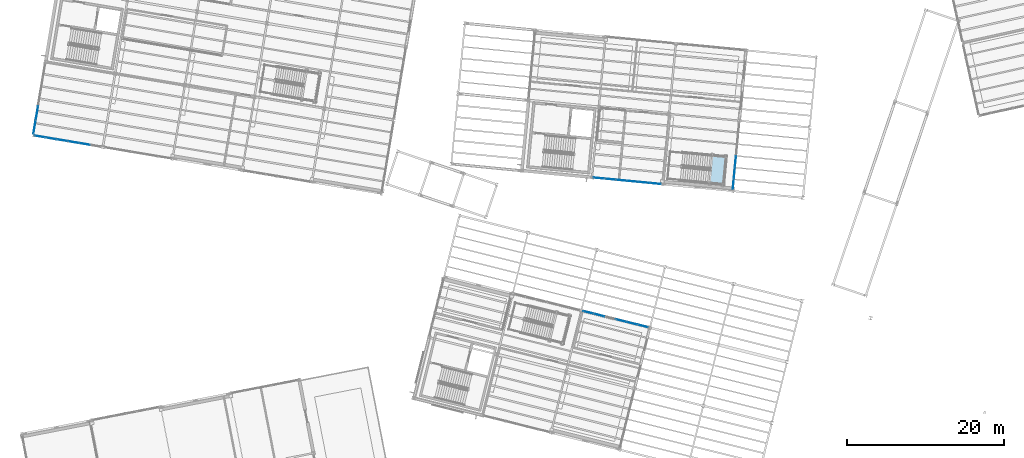
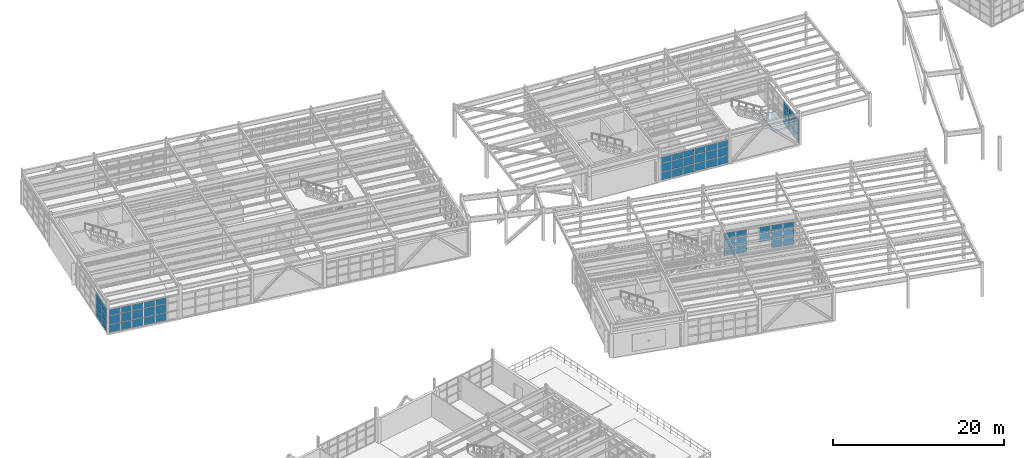
# One storey, part 68 of 109: 62 plates, 1 slab, 6 elements without a shape of their own.
"""IFC4 building model written with IfcOpenShell, lengths in metres."""

from ifc_helpers import new_model, si_unit, direction, frame, origin, origin_2d, place, context, subcontext, project, spatial, polyline, rectangle, outline, extrude, material, layer, layer_set, type_object, element, aggregate, save


model = new_model("IFC4")

# Units and contexts
model_context = context("Model", 3, precision=1e-05, world=origin(), true_north=direction((0.0, 1.0)))
body_context = subcontext(model_context, "Body", "Model", "MODEL_VIEW")
ifc_project = project(units=[si_unit("LENGTHUNIT", "METRE"), si_unit("AREAUNIT", "SQUARE_METRE"), si_unit("VOLUMEUNIT", "CUBIC_METRE"), si_unit("PLANEANGLEUNIT", "RADIAN"), si_unit("MASSUNIT", "GRAM", prefix="KILO")], contexts=[model_context])

# Site, building, storey
site_placement = place(None, origin())
site = spatial("IfcSite", under=ifc_project, at=site_placement, CompositionType="ELEMENT")
building_placement = place(site_placement, origin())
building = spatial("IfcBuilding", under=site, at=building_placement, Name="Vireo Bluff Cable Station", CompositionType="ELEMENT")
storey_placement = place(building_placement, frame((0.0, 0.0, 4.800048828125)))
storey = spatial("IfcBuildingStorey", under=building, at=storey_placement, Name="L01", CompositionType="ELEMENT", Elevation=4.800048828125)

# Curtain wall, plates
ifc_material_1 = material(Name="Anodized Aluminium 6063-T6", Category="aluminium")
ifc_layer_1 = layer(ifc_material_1, 0.179931640625, Name="Anodized Aluminium 6063-T6")
ifc_layer_set_1 = layer_set([ifc_layer_1], Name="Anodized Aluminium 6063-T6")
curtain_wall_type_1 = type_object("IfcCurtainWallType", Name="CW-UNIT-1500", PredefinedType="USERDEFINED", material=ifc_layer_set_1)
curtain_wall_1_placement = place(storey_placement, origin())
curtain_wall_1 = element("IfcCurtainWall", 1, at=curtain_wall_1_placement, inside=storey, type_object=curtain_wall_type_1, Name="V3 L01 east curtain wall CW-076", ObjectType="UNITISED CURTAIN WALL", PredefinedType="USERDEFINED")
ifc_material_2 = material(Name="Laminated Low-E Insulated Glass", Category="glass")
ifc_layer_2 = layer(ifc_material_2, 0.031982421875, Name="Laminated Low-E Insulated Glass")
ifc_layer_set_2 = layer_set([ifc_layer_2], Name="Laminated Low-E Insulated Glass")
plate_type_1 = type_object("IfcPlateType", Name="CWP-32-2", PredefinedType="CURTAIN_PANEL", material=ifc_layer_set_2)
plate_1_placement = place(storey_placement, frame((94.976318359375, 68.179931640625, 0.06494140625), z_axis=(0.0, 0.0, 1.0), x_axis=(-0.095845740533, -0.995396199521, 0.0)))
plate_1 = element("IfcPlate", 2, at=plate_1_placement, type_object=plate_type_1, Name="CW-076 panel 4.1", PredefinedType="CURTAIN_PANEL", context=body_context, shape_type="SweptSolid", body=[
    extrude(rectangle(XDim=1.3740234375, YDim=0.031982421875, at=origin_2d()), origin(), (0.0, 0.0, 1.0), 1.092529296875),
])
plate_2_placement = place(storey_placement, frame((94.976318359375, 68.179931640625, 1.22216796875), z_axis=(0.0, 0.0, 1.0), x_axis=(-0.095845740533, -0.995396199521, 0.0)))
plate_2 = element("IfcPlate", 3, at=plate_2_placement, type_object=plate_type_1, Name="CW-076 panel 4.2", PredefinedType="CURTAIN_PANEL", context=body_context, shape_type="SweptSolid", body=[
    extrude(rectangle(XDim=1.3740234375, YDim=0.031982421875, at=origin_2d()), origin(), (0.0, 0.0, 1.0), 1.193115234375),
])
plate_3_placement = place(storey_placement, frame((94.976318359375, 68.179931640625, 2.48046875), z_axis=(0.0, 0.0, 1.0), x_axis=(-0.095845740533, -0.995396199521, 0.0)))
plate_3 = element("IfcPlate", 4, at=plate_3_placement, type_object=plate_type_1, Name="CW-076 panel 4.3", PredefinedType="CURTAIN_PANEL", context=body_context, shape_type="SweptSolid", body=[
    extrude(rectangle(XDim=1.3740234375, YDim=0.031982421875, at=origin_2d()), origin(), (0.0, 0.0, 1.0), 0.8544921875),
])
plate_4_placement = place(storey_placement, frame((94.83837890625, 66.747314453125, 0.06494140625), z_axis=(0.0, 0.0, 1.0), x_axis=(-0.095845740533, -0.995396199521, 0.0)))
plate_4 = element("IfcPlate", 5, at=plate_4_placement, type_object=plate_type_1, Name="CW-076 panel 5.1", PredefinedType="CURTAIN_PANEL", context=body_context, shape_type="SweptSolid", body=[
    extrude(rectangle(XDim=1.3740234375, YDim=0.031982421875, at=origin_2d()), origin(), (0.0, 0.0, 1.0), 1.092529296875),
])
plate_5_placement = place(storey_placement, frame((94.83837890625, 66.747314453125, 1.22216796875), z_axis=(0.0, 0.0, 1.0), x_axis=(-0.095845740533, -0.995396199521, 0.0)))
plate_5 = element("IfcPlate", 6, at=plate_5_placement, type_object=plate_type_1, Name="CW-076 panel 5.2", PredefinedType="CURTAIN_PANEL", context=body_context, shape_type="SweptSolid", body=[
    extrude(rectangle(XDim=1.3740234375, YDim=0.031982421875, at=origin_2d()), origin(), (0.0, 0.0, 1.0), 1.193115234375),
])
plate_6_placement = place(storey_placement, frame((94.83837890625, 66.747314453125, 2.48046875), z_axis=(0.0, 0.0, 1.0), x_axis=(-0.095845740533, -0.995396199521, 0.0)))
plate_6 = element("IfcPlate", 7, at=plate_6_placement, type_object=plate_type_1, Name="CW-076 panel 5.3", PredefinedType="CURTAIN_PANEL", context=body_context, shape_type="SweptSolid", body=[
    extrude(rectangle(XDim=1.3740234375, YDim=0.031982421875, at=origin_2d()), origin(), (0.0, 0.0, 1.0), 0.8544921875),
])
plate_7_placement = place(storey_placement, frame((94.701904296875, 65.3310546875, 0.06494140625), z_axis=(0.0, 0.0, 1.0), x_axis=(-0.095845740533, -0.995396199521, 0.0)))
plate_7 = element("IfcPlate", 8, at=plate_7_placement, type_object=plate_type_1, Name="CW-076 panel 6.1", PredefinedType="CURTAIN_PANEL", context=body_context, shape_type="SweptSolid", body=[
    extrude(rectangle(XDim=1.341552734375, YDim=0.031982421875, at=origin_2d()), origin(), (0.0, 0.0, 1.0), 1.092529296875),
])
plate_8_placement = place(storey_placement, frame((94.701904296875, 65.3310546875, 1.22216796875), z_axis=(0.0, 0.0, 1.0), x_axis=(-0.095845740533, -0.995396199521, 0.0)))
plate_8 = element("IfcPlate", 9, at=plate_8_placement, type_object=plate_type_1, Name="CW-076 panel 6.2", PredefinedType="CURTAIN_PANEL", context=body_context, shape_type="SweptSolid", body=[
    extrude(rectangle(XDim=1.341552734375, YDim=0.031982421875, at=origin_2d()), origin(), (0.0, 0.0, 1.0), 1.193115234375),
])
plate_9_placement = place(storey_placement, frame((94.701904296875, 65.3310546875, 2.48046875), z_axis=(0.0, 0.0, 1.0), x_axis=(-0.095845740533, -0.995396199521, 0.0)))
plate_9 = element("IfcPlate", 10, at=plate_9_placement, type_object=plate_type_1, Name="CW-076 panel 6.3", PredefinedType="CURTAIN_PANEL", context=body_context, shape_type="SweptSolid", body=[
    extrude(rectangle(XDim=1.341552734375, YDim=0.031982421875, at=origin_2d()), origin(), (0.0, 0.0, 1.0), 0.8544921875),
])
aggregate(curtain_wall_1, [plate_1, plate_2, plate_3, plate_4, plate_5, plate_6, plate_7, plate_8, plate_9])

curtain_wall_2_placement = place(storey_placement, origin())
curtain_wall_2 = element("IfcCurtainWall", 11, at=curtain_wall_2_placement, inside=storey, type_object=curtain_wall_type_1, Name="V1 L01 north curtain wall CW-007", ObjectType="UNITISED CURTAIN WALL", PredefinedType="USERDEFINED")
ifc_layer_3 = layer(ifc_material_2, 0.035888671875, Name="Laminated Low-E Insulated Glass")
ifc_layer_set_3 = layer_set([ifc_layer_3], Name="Laminated Low-E Insulated Glass")
plate_type_2 = type_object("IfcPlateType", Name="CWP-36-3", PredefinedType="CURTAIN_PANEL", material=ifc_layer_set_3)
plate_10_placement = place(storey_placement, frame((76.234375, 48.946044921875, 0.080078125), z_axis=(0.0, 0.0, 1.0), x_axis=(0.970295734104, -0.241921864202, 0.0)))
plate_10 = element("IfcPlate", 12, at=plate_10_placement, type_object=plate_type_2, Name="CW-007 panel 1.1", PredefinedType="CURTAIN_PANEL", context=body_context, shape_type="SweptSolid", body=[
    extrude(rectangle(XDim=1.317626953125, YDim=0.035888671875, at=origin_2d()), origin(), (0.0, 0.0, 1.0), 1.070068359375),
])
plate_11_placement = place(storey_placement, frame((76.234375, 48.946044921875, 1.22998046875), z_axis=(0.0, 0.0, 1.0), x_axis=(0.970295734104, -0.241921864202, 0.0)))
plate_11 = element("IfcPlate", 13, at=plate_11_placement, type_object=plate_type_2, Name="CW-007 panel 1.2", PredefinedType="CURTAIN_PANEL", context=body_context, shape_type="SweptSolid", body=[
    extrude(rectangle(XDim=1.317626953125, YDim=0.035888671875, at=origin_2d()), origin(), (0.0, 0.0, 1.0), 1.177978515625),
])
plate_12_placement = place(storey_placement, frame((76.234375, 48.946044921875, 2.488037109375), z_axis=(0.0, 0.0, 1.0), x_axis=(0.970295734104, -0.241921864202, 0.0)))
plate_12 = element("IfcPlate", 14, at=plate_12_placement, type_object=plate_type_2, Name="CW-007 panel 1.3", PredefinedType="CURTAIN_PANEL", context=body_context, shape_type="SweptSolid", body=[
    extrude(rectangle(XDim=1.317626953125, YDim=0.035888671875, at=origin_2d()), origin(), (0.0, 0.0, 1.0), 0.83203125),
])
plate_13_placement = place(storey_placement, frame((77.60986328125, 48.603271484375, 0.080078125), z_axis=(0.0, 0.0, 1.0), x_axis=(0.970295734104, -0.241921864202, 0.0)))
plate_13 = element("IfcPlate", 15, at=plate_13_placement, type_object=plate_type_2, Name="CW-007 panel 2.1", PredefinedType="CURTAIN_PANEL", context=body_context, shape_type="SweptSolid", body=[
    extrude(rectangle(XDim=1.357666015625, YDim=0.035888671875, at=origin_2d()), origin(), (0.0, 0.0, 1.0), 1.070068359375),
])
plate_14_placement = place(storey_placement, frame((77.60986328125, 48.603271484375, 1.22998046875), z_axis=(0.0, 0.0, 1.0), x_axis=(0.970295734104, -0.241921864202, 0.0)))
plate_14 = element("IfcPlate", 16, at=plate_14_placement, type_object=plate_type_2, Name="CW-007 panel 2.2", PredefinedType="CURTAIN_PANEL", context=body_context, shape_type="SweptSolid", body=[
    extrude(rectangle(XDim=1.357666015625, YDim=0.035888671875, at=origin_2d()), origin(), (0.0, 0.0, 1.0), 1.177978515625),
])
plate_15_placement = place(storey_placement, frame((77.60986328125, 48.603271484375, 2.488037109375), z_axis=(0.0, 0.0, 1.0), x_axis=(0.970295734104, -0.241921864202, 0.0)))
plate_15 = element("IfcPlate", 17, at=plate_15_placement, type_object=plate_type_2, Name="CW-007 panel 2.3", PredefinedType="CURTAIN_PANEL", context=body_context, shape_type="SweptSolid", body=[
    extrude(rectangle(XDim=1.357666015625, YDim=0.035888671875, at=origin_2d()), origin(), (0.0, 0.0, 1.0), 0.83203125),
])
plate_16_placement = place(storey_placement, frame((80.39990234375, 47.907470703125, 1.22998046875), z_axis=(0.0, 0.0, 1.0), x_axis=(0.970295734104, -0.241921864202, 0.0)))
plate_16 = element("IfcPlate", 18, at=plate_16_placement, type_object=plate_type_2, Name="CW-007 panel 4.2", PredefinedType="CURTAIN_PANEL", context=body_context, shape_type="SweptSolid", body=[
    extrude(rectangle(XDim=1.357666015625, YDim=0.035888671875, at=origin_2d()), origin(), (0.0, 0.0, 1.0), 1.177978515625),
])
plate_17_placement = place(storey_placement, frame((80.39990234375, 47.907470703125, 2.488037109375), z_axis=(0.0, 0.0, 1.0), x_axis=(0.970295734104, -0.241921864202, 0.0)))
plate_17 = element("IfcPlate", 19, at=plate_17_placement, type_object=plate_type_2, Name="CW-007 panel 4.3", PredefinedType="CURTAIN_PANEL", context=body_context, shape_type="SweptSolid", body=[
    extrude(rectangle(XDim=1.357666015625, YDim=0.035888671875, at=origin_2d()), origin(), (0.0, 0.0, 1.0), 0.83203125),
])
plate_18_placement = place(storey_placement, frame((81.794921875, 47.559814453125, 0.080078125), z_axis=(0.0, 0.0, 1.0), x_axis=(0.970295734104, -0.241921864202, 0.0)))
plate_18 = element("IfcPlate", 20, at=plate_18_placement, type_object=plate_type_2, Name="CW-007 panel 5.1", PredefinedType="CURTAIN_PANEL", context=body_context, shape_type="SweptSolid", body=[
    extrude(rectangle(XDim=1.357666015625, YDim=0.035888671875, at=origin_2d()), origin(), (0.0, 0.0, 1.0), 1.070068359375),
])
plate_19_placement = place(storey_placement, frame((81.794921875, 47.559814453125, 1.22998046875), z_axis=(0.0, 0.0, 1.0), x_axis=(0.970295734104, -0.241921864202, 0.0)))
plate_19 = element("IfcPlate", 21, at=plate_19_placement, type_object=plate_type_2, Name="CW-007 panel 5.2", PredefinedType="CURTAIN_PANEL", context=body_context, shape_type="SweptSolid", body=[
    extrude(rectangle(XDim=1.357666015625, YDim=0.035888671875, at=origin_2d()), origin(), (0.0, 0.0, 1.0), 1.177978515625),
])
plate_20_placement = place(storey_placement, frame((81.794921875, 47.559814453125, 2.488037109375), z_axis=(0.0, 0.0, 1.0), x_axis=(0.970295734104, -0.241921864202, 0.0)))
plate_20 = element("IfcPlate", 22, at=plate_20_placement, type_object=plate_type_2, Name="CW-007 panel 5.3", PredefinedType="CURTAIN_PANEL", context=body_context, shape_type="SweptSolid", body=[
    extrude(rectangle(XDim=1.357666015625, YDim=0.035888671875, at=origin_2d()), origin(), (0.0, 0.0, 1.0), 0.83203125),
])
plate_21_placement = place(storey_placement, frame((83.17041015625, 47.216796875, 0.080078125), z_axis=(0.0, 0.0, 1.0), x_axis=(0.970295734104, -0.241921864202, 0.0)))
plate_21 = element("IfcPlate", 23, at=plate_21_placement, type_object=plate_type_2, Name="CW-007 panel 6.1", PredefinedType="CURTAIN_PANEL", context=body_context, shape_type="SweptSolid", body=[
    extrude(rectangle(XDim=1.317626953125, YDim=0.035888671875, at=origin_2d()), origin(), (0.0, 0.0, 1.0), 1.070068359375),
])
plate_22_placement = place(storey_placement, frame((83.17041015625, 47.216796875, 1.22998046875), z_axis=(0.0, 0.0, 1.0), x_axis=(0.970295734104, -0.241921864202, 0.0)))
plate_22 = element("IfcPlate", 24, at=plate_22_placement, type_object=plate_type_2, Name="CW-007 panel 6.2", PredefinedType="CURTAIN_PANEL", context=body_context, shape_type="SweptSolid", body=[
    extrude(rectangle(XDim=1.317626953125, YDim=0.035888671875, at=origin_2d()), origin(), (0.0, 0.0, 1.0), 1.177978515625),
])
plate_23_placement = place(storey_placement, frame((83.17041015625, 47.216796875, 2.488037109375), z_axis=(0.0, 0.0, 1.0), x_axis=(0.970295734104, -0.241921864202, 0.0)))
plate_23 = element("IfcPlate", 25, at=plate_23_placement, type_object=plate_type_2, Name="CW-007 panel 6.3", PredefinedType="CURTAIN_PANEL", context=body_context, shape_type="SweptSolid", body=[
    extrude(rectangle(XDim=1.317626953125, YDim=0.035888671875, at=origin_2d()), origin(), (0.0, 0.0, 1.0), 0.83203125),
])
aggregate(curtain_wall_2, [plate_10, plate_11, plate_12, plate_13, plate_14, plate_15, plate_16, plate_17, plate_18, plate_19, plate_20, plate_21, plate_22, plate_23])

ifc_layer_4 = layer(ifc_material_1, 0.179931640625, Name="Anodized Aluminium 6063-T6")
ifc_layer_set_4 = layer_set([ifc_layer_4], Name="Anodized Aluminium 6063-T6")
curtain_wall_type_2 = type_object("IfcCurtainWallType", Name="CW-UNIT-1400", PredefinedType="USERDEFINED", material=ifc_layer_set_4)
curtain_wall_3_placement = place(storey_placement, origin())
curtain_wall_3 = element("IfcCurtainWall", 26, at=curtain_wall_3_placement, inside=storey, type_object=curtain_wall_type_2, Name="V3 L01 south curtain wall CW-072", ObjectType="UNITISED CURTAIN WALL", PredefinedType="USERDEFINED")
plate_24_placement = place(storey_placement, frame((84.78564453125, 65.3623046875, 0.06494140625), z_axis=(0.0, 0.0, 1.0), x_axis=(-0.995396206602, 0.095845666993, 0.0)))
plate_24 = element("IfcPlate", 27, at=plate_24_placement, type_object=plate_type_2, Name="CW-072 panel 1.1", PredefinedType="CURTAIN_PANEL", context=body_context, shape_type="SweptSolid", body=[
    extrude(rectangle(XDim=1.359130859375, YDim=0.035888671875, at=origin_2d()), origin(), (0.0, 0.0, 1.0), 1.092529296875),
])
plate_25_placement = place(storey_placement, frame((84.78564453125, 65.3623046875, 1.22216796875), z_axis=(0.0, 0.0, 1.0), x_axis=(-0.995396206602, 0.095845666993, 0.0)))
plate_25 = element("IfcPlate", 28, at=plate_25_placement, type_object=plate_type_2, Name="CW-072 panel 1.2", PredefinedType="CURTAIN_PANEL", context=body_context, shape_type="SweptSolid", body=[
    extrude(rectangle(XDim=1.359130859375, YDim=0.035888671875, at=origin_2d()), origin(), (0.0, 0.0, 1.0), 1.193115234375),
])
plate_26_placement = place(storey_placement, frame((84.78564453125, 65.3623046875, 2.48046875), z_axis=(0.0, 0.0, 1.0), x_axis=(-0.995396206602, 0.095845666993, 0.0)))
plate_26 = element("IfcPlate", 29, at=plate_26_placement, type_object=plate_type_2, Name="CW-072 panel 1.3", PredefinedType="CURTAIN_PANEL", context=body_context, shape_type="SweptSolid", body=[
    extrude(rectangle(XDim=1.359130859375, YDim=0.035888671875, at=origin_2d()), origin(), (0.0, 0.0, 1.0), 0.8544921875),
])
plate_27_placement = place(storey_placement, frame((83.351806640625, 65.50048828125, 0.06494140625), z_axis=(0.0, 0.0, 1.0), x_axis=(-0.995396206602, 0.095845666993, 0.0)))
plate_27 = element("IfcPlate", 30, at=plate_27_placement, type_object=plate_type_2, Name="CW-072 panel 2.1", PredefinedType="CURTAIN_PANEL", context=body_context, shape_type="SweptSolid", body=[
    extrude(rectangle(XDim=1.391845703125, YDim=0.035888671875, at=origin_2d()), origin(), (0.0, 0.0, 1.0), 1.092529296875),
])
plate_28_placement = place(storey_placement, frame((83.351806640625, 65.50048828125, 1.22216796875), z_axis=(0.0, 0.0, 1.0), x_axis=(-0.995396206602, 0.095845666993, 0.0)))
plate_28 = element("IfcPlate", 31, at=plate_28_placement, type_object=plate_type_2, Name="CW-072 panel 2.2", PredefinedType="CURTAIN_PANEL", context=body_context, shape_type="SweptSolid", body=[
    extrude(rectangle(XDim=1.391845703125, YDim=0.035888671875, at=origin_2d()), origin(), (0.0, 0.0, 1.0), 1.193115234375),
])
plate_29_placement = place(storey_placement, frame((83.351806640625, 65.50048828125, 2.48046875), z_axis=(0.0, 0.0, 1.0), x_axis=(-0.995396206602, 0.095845666993, 0.0)))
plate_29 = element("IfcPlate", 32, at=plate_29_placement, type_object=plate_type_2, Name="CW-072 panel 2.3", PredefinedType="CURTAIN_PANEL", context=body_context, shape_type="SweptSolid", body=[
    extrude(rectangle(XDim=1.391845703125, YDim=0.035888671875, at=origin_2d()), origin(), (0.0, 0.0, 1.0), 0.8544921875),
])
plate_30_placement = place(storey_placement, frame((81.901611328125, 65.64013671875, 0.06494140625), z_axis=(0.0, 0.0, 1.0), x_axis=(-0.995396206602, 0.095845666993, 0.0)))
plate_30 = element("IfcPlate", 33, at=plate_30_placement, type_object=plate_type_2, Name="CW-072 panel 3.1", PredefinedType="CURTAIN_PANEL", context=body_context, shape_type="SweptSolid", body=[
    extrude(rectangle(XDim=1.391845703125, YDim=0.035888671875, at=origin_2d()), origin(), (0.0, 0.0, 1.0), 1.092529296875),
])
plate_31_placement = place(storey_placement, frame((81.901611328125, 65.64013671875, 1.22216796875), z_axis=(0.0, 0.0, 1.0), x_axis=(-0.995396206602, 0.095845666993, 0.0)))
plate_31 = element("IfcPlate", 34, at=plate_31_placement, type_object=plate_type_2, Name="CW-072 panel 3.2", PredefinedType="CURTAIN_PANEL", context=body_context, shape_type="SweptSolid", body=[
    extrude(rectangle(XDim=1.391845703125, YDim=0.035888671875, at=origin_2d()), origin(), (0.0, 0.0, 1.0), 1.193115234375),
])
plate_32_placement = place(storey_placement, frame((81.901611328125, 65.64013671875, 2.48046875), z_axis=(0.0, 0.0, 1.0), x_axis=(-0.995396206602, 0.095845666993, 0.0)))
plate_32 = element("IfcPlate", 35, at=plate_32_placement, type_object=plate_type_2, Name="CW-072 panel 3.3", PredefinedType="CURTAIN_PANEL", context=body_context, shape_type="SweptSolid", body=[
    extrude(rectangle(XDim=1.391845703125, YDim=0.035888671875, at=origin_2d()), origin(), (0.0, 0.0, 1.0), 0.8544921875),
])
plate_33_placement = place(storey_placement, frame((80.45166015625, 65.77978515625, 0.06494140625), z_axis=(0.0, 0.0, 1.0), x_axis=(-0.995396206602, 0.095845666993, 0.0)))
plate_33 = element("IfcPlate", 36, at=plate_33_placement, type_object=plate_type_2, Name="CW-072 panel 4.1", PredefinedType="CURTAIN_PANEL", context=body_context, shape_type="SweptSolid", body=[
    extrude(rectangle(XDim=1.391845703125, YDim=0.035888671875, at=origin_2d()), origin(), (0.0, 0.0, 1.0), 1.092529296875),
])
plate_34_placement = place(storey_placement, frame((80.45166015625, 65.77978515625, 1.22216796875), z_axis=(0.0, 0.0, 1.0), x_axis=(-0.995396206602, 0.095845666993, 0.0)))
plate_34 = element("IfcPlate", 37, at=plate_34_placement, type_object=plate_type_2, Name="CW-072 panel 4.2", PredefinedType="CURTAIN_PANEL", context=body_context, shape_type="SweptSolid", body=[
    extrude(rectangle(XDim=1.391845703125, YDim=0.035888671875, at=origin_2d()), origin(), (0.0, 0.0, 1.0), 1.193115234375),
])
plate_35_placement = place(storey_placement, frame((80.45166015625, 65.77978515625, 2.48046875), z_axis=(0.0, 0.0, 1.0), x_axis=(-0.995396206602, 0.095845666993, 0.0)))
plate_35 = element("IfcPlate", 38, at=plate_35_placement, type_object=plate_type_2, Name="CW-072 panel 4.3", PredefinedType="CURTAIN_PANEL", context=body_context, shape_type="SweptSolid", body=[
    extrude(rectangle(XDim=1.391845703125, YDim=0.035888671875, at=origin_2d()), origin(), (0.0, 0.0, 1.0), 0.8544921875),
])
plate_36_placement = place(storey_placement, frame((79.001708984375, 65.91943359375, 0.06494140625), z_axis=(0.0, 0.0, 1.0), x_axis=(-0.995396206602, 0.095845666993, 0.0)))
plate_36 = element("IfcPlate", 39, at=plate_36_placement, type_object=plate_type_2, Name="CW-072 panel 5.1", PredefinedType="CURTAIN_PANEL", context=body_context, shape_type="SweptSolid", body=[
    extrude(rectangle(XDim=1.391845703125, YDim=0.035888671875, at=origin_2d()), origin(), (0.0, 0.0, 1.0), 1.092529296875),
])
plate_37_placement = place(storey_placement, frame((79.001708984375, 65.91943359375, 1.22216796875), z_axis=(0.0, 0.0, 1.0), x_axis=(-0.995396206602, 0.095845666993, 0.0)))
plate_37 = element("IfcPlate", 40, at=plate_37_placement, type_object=plate_type_2, Name="CW-072 panel 5.2", PredefinedType="CURTAIN_PANEL", context=body_context, shape_type="SweptSolid", body=[
    extrude(rectangle(XDim=1.391845703125, YDim=0.035888671875, at=origin_2d()), origin(), (0.0, 0.0, 1.0), 1.193115234375),
])
plate_38_placement = place(storey_placement, frame((79.001708984375, 65.91943359375, 2.48046875), z_axis=(0.0, 0.0, 1.0), x_axis=(-0.995396206602, 0.095845666993, 0.0)))
plate_38 = element("IfcPlate", 41, at=plate_38_placement, type_object=plate_type_2, Name="CW-072 panel 5.3", PredefinedType="CURTAIN_PANEL", context=body_context, shape_type="SweptSolid", body=[
    extrude(rectangle(XDim=1.391845703125, YDim=0.035888671875, at=origin_2d()), origin(), (0.0, 0.0, 1.0), 0.8544921875),
])
plate_39_placement = place(storey_placement, frame((77.56787109375, 66.057373046875, 0.06494140625), z_axis=(0.0, 0.0, 1.0), x_axis=(-0.995396206602, 0.095845666993, 0.0)))
plate_39 = element("IfcPlate", 42, at=plate_39_placement, type_object=plate_type_2, Name="CW-072 panel 6.1", PredefinedType="CURTAIN_PANEL", context=body_context, shape_type="SweptSolid", body=[
    extrude(rectangle(XDim=1.359130859375, YDim=0.035888671875, at=origin_2d()), origin(), (0.0, 0.0, 1.0), 1.092529296875),
])
plate_40_placement = place(storey_placement, frame((77.56787109375, 66.057373046875, 1.22216796875), z_axis=(0.0, 0.0, 1.0), x_axis=(-0.995396206602, 0.095845666993, 0.0)))
plate_40 = element("IfcPlate", 43, at=plate_40_placement, type_object=plate_type_2, Name="CW-072 panel 6.2", PredefinedType="CURTAIN_PANEL", context=body_context, shape_type="SweptSolid", body=[
    extrude(rectangle(XDim=1.359130859375, YDim=0.035888671875, at=origin_2d()), origin(), (0.0, 0.0, 1.0), 1.193115234375),
])
plate_41_placement = place(storey_placement, frame((77.56787109375, 66.057373046875, 2.48046875), z_axis=(0.0, 0.0, 1.0), x_axis=(-0.995396206602, 0.095845666993, 0.0)))
plate_41 = element("IfcPlate", 44, at=plate_41_placement, type_object=plate_type_2, Name="CW-072 panel 6.3", PredefinedType="CURTAIN_PANEL", context=body_context, shape_type="SweptSolid", body=[
    extrude(rectangle(XDim=1.359130859375, YDim=0.035888671875, at=origin_2d()), origin(), (0.0, 0.0, 1.0), 0.8544921875),
])
aggregate(curtain_wall_3, [plate_24, plate_25, plate_26, plate_27, plate_28, plate_29, plate_30, plate_31, plate_32, plate_33, plate_34, plate_35, plate_36, plate_37, plate_38, plate_39, plate_40, plate_41])

curtain_wall_4_placement = place(storey_placement, origin())
curtain_wall_4 = element("IfcCurtainWall", 45, at=curtain_wall_4_placement, inside=storey, type_object=curtain_wall_type_2, Name="V4 L01 south curtain wall CW-087", ObjectType="UNITISED CURTAIN WALL", PredefinedType="USERDEFINED")
plate_42_placement = place(storey_placement, frame((12.051025390625, 70.40380859375, 0.080078125), z_axis=(0.0, 0.0, 1.0), x_axis=(-0.986285599325, 0.165047619081, 0.0)))
plate_42 = element("IfcPlate", 46, at=plate_42_placement, type_object=plate_type_2, Name="CW-087 panel 2.1", PredefinedType="CURTAIN_PANEL", context=body_context, shape_type="SweptSolid", body=[
    extrude(rectangle(XDim=1.3671875, YDim=0.035888671875, at=origin_2d()), origin(), (0.0, 0.0, 1.0), 1.070068359375),
])
plate_43_placement = place(storey_placement, frame((12.051025390625, 70.40380859375, 1.22998046875), z_axis=(0.0, 0.0, 1.0), x_axis=(-0.986285599325, 0.165047619081, 0.0)))
plate_43 = element("IfcPlate", 47, at=plate_43_placement, type_object=plate_type_2, Name="CW-087 panel 2.2", PredefinedType="CURTAIN_PANEL", context=body_context, shape_type="SweptSolid", body=[
    extrude(rectangle(XDim=1.3671875, YDim=0.035888671875, at=origin_2d()), origin(), (0.0, 0.0, 1.0), 1.177978515625),
])
plate_44_placement = place(storey_placement, frame((12.051025390625, 70.40380859375, 2.488037109375), z_axis=(0.0, 0.0, 1.0), x_axis=(-0.986285599325, 0.165047619081, 0.0)))
plate_44 = element("IfcPlate", 48, at=plate_44_placement, type_object=plate_type_2, Name="CW-087 panel 2.3", PredefinedType="CURTAIN_PANEL", context=body_context, shape_type="SweptSolid", body=[
    extrude(rectangle(XDim=1.3671875, YDim=0.035888671875, at=origin_2d()), origin(), (0.0, 0.0, 1.0), 0.83203125),
])
plate_45_placement = place(storey_placement, frame((10.62353515625, 70.642578125, 0.080078125), z_axis=(0.0, 0.0, 1.0), x_axis=(-0.986285599325, 0.165047619081, 0.0)))
plate_45 = element("IfcPlate", 49, at=plate_45_placement, type_object=plate_type_2, Name="CW-087 panel 3.1", PredefinedType="CURTAIN_PANEL", context=body_context, shape_type="SweptSolid", body=[
    extrude(rectangle(XDim=1.3671875, YDim=0.035888671875, at=origin_2d()), origin(), (0.0, 0.0, 1.0), 1.070068359375),
])
plate_46_placement = place(storey_placement, frame((10.62353515625, 70.642578125, 1.22998046875), z_axis=(0.0, 0.0, 1.0), x_axis=(-0.986285599325, 0.165047619081, 0.0)))
plate_46 = element("IfcPlate", 50, at=plate_46_placement, type_object=plate_type_2, Name="CW-087 panel 3.2", PredefinedType="CURTAIN_PANEL", context=body_context, shape_type="SweptSolid", body=[
    extrude(rectangle(XDim=1.3671875, YDim=0.035888671875, at=origin_2d()), origin(), (0.0, 0.0, 1.0), 1.177978515625),
])
plate_47_placement = place(storey_placement, frame((10.62353515625, 70.642578125, 2.488037109375), z_axis=(0.0, 0.0, 1.0), x_axis=(-0.986285599325, 0.165047619081, 0.0)))
plate_47 = element("IfcPlate", 51, at=plate_47_placement, type_object=plate_type_2, Name="CW-087 panel 3.3", PredefinedType="CURTAIN_PANEL", context=body_context, shape_type="SweptSolid", body=[
    extrude(rectangle(XDim=1.3671875, YDim=0.035888671875, at=origin_2d()), origin(), (0.0, 0.0, 1.0), 0.83203125),
])
plate_48_placement = place(storey_placement, frame((9.1962890625, 70.88134765625, 0.080078125), z_axis=(0.0, 0.0, 1.0), x_axis=(-0.986285599325, 0.165047619081, 0.0)))
plate_48 = element("IfcPlate", 52, at=plate_48_placement, type_object=plate_type_2, Name="CW-087 panel 4.1", PredefinedType="CURTAIN_PANEL", context=body_context, shape_type="SweptSolid", body=[
    extrude(rectangle(XDim=1.3671875, YDim=0.035888671875, at=origin_2d()), origin(), (0.0, 0.0, 1.0), 1.070068359375),
])
plate_49_placement = place(storey_placement, frame((9.1962890625, 70.88134765625, 1.22998046875), z_axis=(0.0, 0.0, 1.0), x_axis=(-0.986285599325, 0.165047619081, 0.0)))
plate_49 = element("IfcPlate", 53, at=plate_49_placement, type_object=plate_type_2, Name="CW-087 panel 4.2", PredefinedType="CURTAIN_PANEL", context=body_context, shape_type="SweptSolid", body=[
    extrude(rectangle(XDim=1.3671875, YDim=0.035888671875, at=origin_2d()), origin(), (0.0, 0.0, 1.0), 1.177978515625),
])
plate_50_placement = place(storey_placement, frame((9.1962890625, 70.88134765625, 2.488037109375), z_axis=(0.0, 0.0, 1.0), x_axis=(-0.986285599325, 0.165047619081, 0.0)))
plate_50 = element("IfcPlate", 54, at=plate_50_placement, type_object=plate_type_2, Name="CW-087 panel 4.3", PredefinedType="CURTAIN_PANEL", context=body_context, shape_type="SweptSolid", body=[
    extrude(rectangle(XDim=1.3671875, YDim=0.035888671875, at=origin_2d()), origin(), (0.0, 0.0, 1.0), 0.83203125),
])
plate_51_placement = place(storey_placement, frame((7.768798828125, 71.120361328125, 0.080078125), z_axis=(0.0, 0.0, 1.0), x_axis=(-0.986285599325, 0.165047619081, 0.0)))
plate_51 = element("IfcPlate", 55, at=plate_51_placement, type_object=plate_type_2, Name="CW-087 panel 5.1", PredefinedType="CURTAIN_PANEL", context=body_context, shape_type="SweptSolid", body=[
    extrude(rectangle(XDim=1.3671875, YDim=0.035888671875, at=origin_2d()), origin(), (0.0, 0.0, 1.0), 1.070068359375),
])
plate_52_placement = place(storey_placement, frame((7.768798828125, 71.120361328125, 1.22998046875), z_axis=(0.0, 0.0, 1.0), x_axis=(-0.986285599325, 0.165047619081, 0.0)))
plate_52 = element("IfcPlate", 56, at=plate_52_placement, type_object=plate_type_2, Name="CW-087 panel 5.2", PredefinedType="CURTAIN_PANEL", context=body_context, shape_type="SweptSolid", body=[
    extrude(rectangle(XDim=1.3671875, YDim=0.035888671875, at=origin_2d()), origin(), (0.0, 0.0, 1.0), 1.177978515625),
])
plate_53_placement = place(storey_placement, frame((7.768798828125, 71.120361328125, 2.488037109375), z_axis=(0.0, 0.0, 1.0), x_axis=(-0.986285599325, 0.165047619081, 0.0)))
plate_53 = element("IfcPlate", 57, at=plate_53_placement, type_object=plate_type_2, Name="CW-087 panel 5.3", PredefinedType="CURTAIN_PANEL", context=body_context, shape_type="SweptSolid", body=[
    extrude(rectangle(XDim=1.3671875, YDim=0.035888671875, at=origin_2d()), origin(), (0.0, 0.0, 1.0), 0.83203125),
])
plate_54_placement = place(storey_placement, frame((6.361083984375, 71.35595703125, 0.080078125), z_axis=(0.0, 0.0, 1.0), x_axis=(-0.986285599325, 0.165047619081, 0.0)))
plate_54 = element("IfcPlate", 58, at=plate_54_placement, type_object=plate_type_2, Name="CW-087 panel 6.1", PredefinedType="CURTAIN_PANEL", context=body_context, shape_type="SweptSolid", body=[
    extrude(rectangle(XDim=1.3271484375, YDim=0.035888671875, at=origin_2d()), origin(), (0.0, 0.0, 1.0), 1.070068359375),
])
plate_55_placement = place(storey_placement, frame((6.361083984375, 71.35595703125, 1.22998046875), z_axis=(0.0, 0.0, 1.0), x_axis=(-0.986285599325, 0.165047619081, 0.0)))
plate_55 = element("IfcPlate", 59, at=plate_55_placement, type_object=plate_type_2, Name="CW-087 panel 6.2", PredefinedType="CURTAIN_PANEL", context=body_context, shape_type="SweptSolid", body=[
    extrude(rectangle(XDim=1.3271484375, YDim=0.035888671875, at=origin_2d()), origin(), (0.0, 0.0, 1.0), 1.177978515625),
])
plate_56_placement = place(storey_placement, frame((6.361083984375, 71.35595703125, 2.488037109375), z_axis=(0.0, 0.0, 1.0), x_axis=(-0.986285599325, 0.165047619081, 0.0)))
plate_56 = element("IfcPlate", 60, at=plate_56_placement, type_object=plate_type_2, Name="CW-087 panel 6.3", PredefinedType="CURTAIN_PANEL", context=body_context, shape_type="SweptSolid", body=[
    extrude(rectangle(XDim=1.3271484375, YDim=0.035888671875, at=origin_2d()), origin(), (0.0, 0.0, 1.0), 0.83203125),
])
aggregate(curtain_wall_4, [plate_42, plate_43, plate_44, plate_45, plate_46, plate_47, plate_48, plate_49, plate_50, plate_51, plate_52, plate_53, plate_54, plate_55, plate_56])

ifc_layer_5 = layer(ifc_material_1, 0.159912109375, Name="Anodized Aluminium 6063-T6")
ifc_layer_set_5 = layer_set([ifc_layer_5], Name="Anodized Aluminium 6063-T6")
curtain_wall_type_3 = type_object("IfcCurtainWallType", Name="CW-STICK-1750", PredefinedType="USERDEFINED", material=ifc_layer_set_5)
curtain_wall_5_placement = place(storey_placement, origin())
curtain_wall_5 = element("IfcCurtainWall", 61, at=curtain_wall_5_placement, inside=storey, type_object=curtain_wall_type_3, Name="V4 L01 west curtain wall CW-088", ObjectType="STICK CURTAIN WALL", PredefinedType="USERDEFINED")
ifc_material_3 = material(Name="Insulated Spandrel Glass Panel", Category="glass")
ifc_layer_6 = layer(ifc_material_3, 0.0419921875, Name="Insulated Spandrel Glass Panel")
ifc_layer_set_6 = layer_set([ifc_layer_6], Name="Insulated Spandrel Glass Panel")
plate_type_3 = type_object("IfcPlateType", Name="CWP-42-4", PredefinedType="CURTAIN_PANEL", material=ifc_layer_set_6)
plate_57_placement = place(storey_placement, frame((5.67578125, 72.550537109375, 0.06494140625), z_axis=(0.0, 0.0, 1.0), x_axis=(0.165047670998, 0.986285590637, 0.0)))
plate_57 = element("IfcPlate", 62, at=plate_57_placement, type_object=plate_type_3, Name="CW-088 panel 1.1", PredefinedType="CURTAIN_PANEL", context=body_context, shape_type="SweptSolid", body=[
    extrude(rectangle(XDim=1.739990234375, YDim=0.0419921875, at=origin_2d()), origin(), (0.0, 0.0, 1.0), 1.092529296875),
])
plate_58_placement = place(storey_placement, frame((5.67578125, 72.550537109375, 1.22216796875), z_axis=(0.0, 0.0, 1.0), x_axis=(0.165047670998, 0.986285590637, 0.0)))
plate_58 = element("IfcPlate", 63, at=plate_58_placement, type_object=plate_type_3, Name="CW-088 panel 1.2", PredefinedType="CURTAIN_PANEL", context=body_context, shape_type="SweptSolid", body=[
    extrude(rectangle(XDim=1.739990234375, YDim=0.0419921875, at=origin_2d()), origin(), (0.0, 0.0, 1.0), 1.193115234375),
])
plate_59_placement = place(storey_placement, frame((5.67578125, 72.550537109375, 2.48046875), z_axis=(0.0, 0.0, 1.0), x_axis=(0.165047670998, 0.986285590637, 0.0)))
plate_59 = element("IfcPlate", 64, at=plate_59_placement, type_object=plate_type_3, Name="CW-088 panel 1.3", PredefinedType="CURTAIN_PANEL", context=body_context, shape_type="SweptSolid", body=[
    extrude(rectangle(XDim=1.739990234375, YDim=0.0419921875, at=origin_2d()), origin(), (0.0, 0.0, 1.0), 0.8544921875),
])
plate_60_placement = place(storey_placement, frame((5.976318359375, 74.346923828125, 0.06494140625), z_axis=(0.0, 0.0, 1.0), x_axis=(0.165047670998, 0.986285590637, 0.0)))
plate_60 = element("IfcPlate", 65, at=plate_60_placement, type_object=plate_type_3, Name="CW-088 panel 2.1", PredefinedType="CURTAIN_PANEL", context=body_context, shape_type="SweptSolid", body=[
    extrude(rectangle(XDim=1.772705078125, YDim=0.0419921875, at=origin_2d()), origin(), (0.0, 0.0, 1.0), 1.092529296875),
])
plate_61_placement = place(storey_placement, frame((5.976318359375, 74.346923828125, 1.22216796875), z_axis=(0.0, 0.0, 1.0), x_axis=(0.165047670998, 0.986285590637, 0.0)))
plate_61 = element("IfcPlate", 66, at=plate_61_placement, type_object=plate_type_3, Name="CW-088 panel 2.2", PredefinedType="CURTAIN_PANEL", context=body_context, shape_type="SweptSolid", body=[
    extrude(rectangle(XDim=1.772705078125, YDim=0.0419921875, at=origin_2d()), origin(), (0.0, 0.0, 1.0), 1.193115234375),
])
plate_62_placement = place(storey_placement, frame((5.976318359375, 74.346923828125, 2.48046875), z_axis=(0.0, 0.0, 1.0), x_axis=(0.165047670998, 0.986285590637, 0.0)))
plate_62 = element("IfcPlate", 67, at=plate_62_placement, type_object=plate_type_3, Name="CW-088 panel 2.3", PredefinedType="CURTAIN_PANEL", context=body_context, shape_type="SweptSolid", body=[
    extrude(rectangle(XDim=1.772705078125, YDim=0.0419921875, at=origin_2d()), origin(), (0.0, 0.0, 1.0), 0.8544921875),
])
aggregate(curtain_wall_5, [plate_57, plate_58, plate_59, plate_60, plate_61, plate_62])

# Stair, slab
ifc_material_4 = material(Name="Concrete f'c 40 MPa", Category="concrete")
stair_type = type_object("IfcStairType", Name="STAIR-HT-1680", PredefinedType="HALF_TURN_STAIR", material=ifc_material_4)
stair_placement = place(storey_placement, origin())
stair = element("IfcStair", 68, at=stair_placement, inside=storey, type_object=stair_type, Name="L01 Feature Concourse Stair ST-11", PredefinedType="HALF_TURN_STAIR")
ifc_layer_7 = layer(ifc_material_4, 0.18994140625, Name="Concrete f'c 40 MPa")
ifc_layer_set_7 = layer_set([ifc_layer_7], Name="Concrete f'c 40 MPa")
slab_type = type_object("IfcSlabType", Name="LANDING-190", PredefinedType="LANDING", material=ifc_layer_set_7)
slab_placement = place(storey_placement, frame((0.0, 0.0, 2.199951171875)))
slab = element("IfcSlab", 69, at=slab_placement, type_object=slab_type, Name="ST-11 landing 1", PredefinedType="LANDING", context=body_context, shape_type="SweptSolid", body=[
    extrude(outline(polyline([(91.69384765625, 65.400390625), (93.486328125, 65.227783203125), (93.82763671875, 68.771484375), (92.03515625, 68.944091796875), (91.69384765625, 65.400390625)])), origin(), (0.0, 0.0, 1.0), 0.199951171875),
])
aggregate(stair, [slab])

save(model, "model.ifc")
